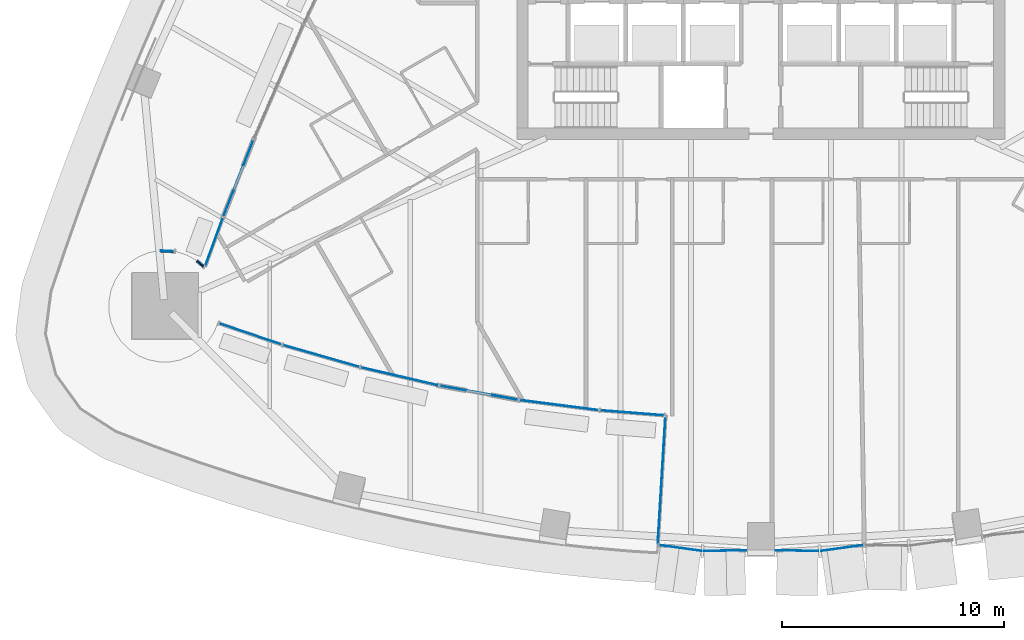
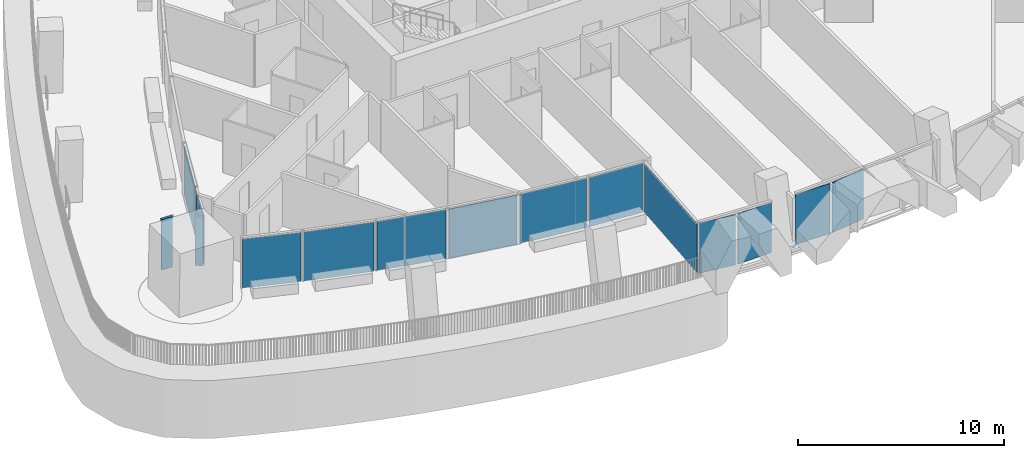
# One storey, part 9 of 24: 15 plates, 2 members, 13 elements without a shape of their own.
"""IFC4 building model written with IfcOpenShell, lengths in metres."""

from ifc_helpers import new_model, si_unit, direction, frame, origin, origin_2d, place, context, subcontext, project, spatial, polyline, rectangle, outline, extrude, material, layer, layer_set, material_profile, profile_set, type_object, element, aggregate, save


model = new_model("IFC4")

# Units and contexts
model_context = context("Model", 3, precision=1e-05, world=origin(), true_north=direction((0.0, 1.0)))
body_context = subcontext(model_context, "Body", "Model", "MODEL_VIEW")
ifc_project = project(units=[si_unit("LENGTHUNIT", "METRE"), si_unit("AREAUNIT", "SQUARE_METRE"), si_unit("VOLUMEUNIT", "CUBIC_METRE"), si_unit("PLANEANGLEUNIT", "RADIAN"), si_unit("MASSUNIT", "GRAM", prefix="KILO")], contexts=[model_context])

# Site, building, storey
site_placement = place(None, origin())
site = spatial("IfcSite", under=ifc_project, at=site_placement, CompositionType="ELEMENT")
building_placement = place(site_placement, origin())
building = spatial("IfcBuilding", under=site, at=building_placement, Name="Sierra Prisma Convention Tower", CompositionType="ELEMENT")
storey_placement = place(building_placement, frame((0.0, 0.0, 59.10009765625)))
storey = spatial("IfcBuildingStorey", under=building, at=storey_placement, Name="L10", CompositionType="ELEMENT", Elevation=59.10009765625)

# Curtain wall, member
ifc_material_1 = material(Name="Aluminium and glass curtain wall", Category="aluminium")
ifc_layer_1 = layer(ifc_material_1, 0.179931640625)
ifc_layer_set_1 = layer_set([ifc_layer_1], Name="CW-6 Terrace recess curtain wall")
curtain_wall_type_1 = type_object("IfcCurtainWallType", Name="CW-6 Terrace recess curtain wall", PredefinedType="NOTDEFINED", material=ifc_layer_set_1)
curtain_wall_1_placement = place(storey_placement, origin())
curtain_wall_1 = element("IfcCurtainWall", 1, at=curtain_wall_1_placement, inside=storey, type_object=curtain_wall_type_1, Name="CW-6 R8 L10", PredefinedType="NOTDEFINED")
ifc_material_2 = material(Name="Aluminium 6063-T6 bronze anodised", Category="aluminium")
ifc_material_profile = material_profile(ifc_material_2, rectangle(XDim=0.139892578125, YDim=0.1201171875, at=origin_2d()), Name="ALU TRANSOM 120x140")
ifc_profile_set = profile_set([ifc_material_profile], Name="Aluminium 6063-T6 bronze anodised")
member_type = type_object("IfcMemberType", Name="CW transom bronze", PredefinedType="USERDEFINED", material=ifc_profile_set)
member_1_placement = place(storey_placement, frame((-25.143310546875, -13.736572265625, 2.97998046875), z_axis=(-0.76554762068, 0.643379235343, 0.0), x_axis=(-0.643379235343, -0.76554762068, 0.0)))
member_1 = element("IfcMember", 2, at=member_1_placement, type_object=member_type, Name="CW-6 transom R8.1", ObjectType="TRANSOM", PredefinedType="USERDEFINED", context=body_context, shape_type="SweptSolid", body=[
    extrude(rectangle(XDim=0.139892578125, YDim=0.1201171875, at=origin_2d()), origin(), (0.0, 0.0, 1.0), 0.397705078125),
])

curtain_wall_2_placement = place(storey_placement, origin())
curtain_wall_2 = element("IfcCurtainWall", 3, at=curtain_wall_2_placement, inside=storey, type_object=curtain_wall_type_1, Name="CW-6 R11 L10", PredefinedType="NOTDEFINED")
member_2_placement = place(storey_placement, frame((-26.480224609375, -13.0556640625, 2.97998046875), z_axis=(-0.998786609431, 0.049247424507, 0.0), x_axis=(-0.049247424507, -0.998786609431, 0.0)))
member_2 = element("IfcMember", 4, at=member_2_placement, type_object=member_type, Name="CW-6 transom R11.1", ObjectType="TRANSOM", PredefinedType="USERDEFINED", context=body_context, shape_type="SweptSolid", body=[
    extrude(rectangle(XDim=0.139892578125, YDim=0.1201171875, at=origin_2d()), origin(), (0.0, 0.0, 1.0), 0.599853515625),
])

# Curtain wall, plates
ifc_material_3 = material(Name="Aluminium and glass curtain wall", Category="aluminium")
ifc_layer_2 = layer(ifc_material_3, 0.179931640625)
ifc_layer_set_2 = layer_set([ifc_layer_2], Name="CW-2 Faceted crystal curtain wall")
curtain_wall_type_2 = type_object("IfcCurtainWallType", Name="CW-2 Faceted crystal curtain wall", PredefinedType="NOTDEFINED", material=ifc_layer_set_2)
curtain_wall_3_placement = place(storey_placement, origin())
curtain_wall_3 = element("IfcCurtainWall", 5, at=curtain_wall_3_placement, inside=storey, type_object=curtain_wall_type_2, Name="CW-2 S3b L10", PredefinedType="NOTDEFINED")
ifc_material_4 = material(Name="Tinted glass bronze-grey IGU", Category="glass")
ifc_layer_3 = layer(ifc_material_4, 0.028076171875)
ifc_layer_set_3 = layer_set([ifc_layer_3], Name="CW-2 crystal pane")
plate_type_1 = type_object("IfcPlateType", Name="CW-2 crystal pane", PredefinedType="CURTAIN_PANEL", material=ifc_layer_set_3)
plate_1_placement = place(storey_placement, frame((-4.587158203125, -26.31982421875, 0.0), z_axis=(-0.13799124572, -0.9904334486, 0.0), x_axis=(0.9904334486, -0.13799124572, 0.0)))
plate_1 = element("IfcPlate", 6, at=plate_1_placement, type_object=plate_type_1, Name="CW-2 pane S3b.1.1", PredefinedType="CURTAIN_PANEL", context=body_context, shape_type="SweptSolid", body=[
    extrude(outline(polyline([(0.0, 0.0), (1.9037099863106544, 0.0), (1.9037099863106544, 2.97998046875), (0.0, 2.97998046875), (0.0, 0.0)])), origin(), (0.0, 0.0, -1.0), 0.028076171875),
])
plate_2_placement = place(storey_placement, frame((-0.668701171875, -26.554931640625, 0.0), z_axis=(0.018593681258, -0.999827122565, 0.0), x_axis=(-0.999827122565, -0.018593681258, 0.0)))
plate_2 = element("IfcPlate", 7, at=plate_2_placement, type_object=plate_type_1, Name="CW-2 pane S3b.1.2", PredefinedType="CURTAIN_PANEL", context=body_context, shape_type="SweptSolid", body=[
    extrude(outline(polyline([(0.0, 0.0), (1.903893593365313, 0.0), (1.903893593365313, -2.97998046875), (0.0, -2.97998046875), (0.0, 0.0)])), origin(), (0.0, 0.0, -1.0), 0.028076171875),
])
aggregate(curtain_wall_3, [plate_1, plate_2])

curtain_wall_4_placement = place(storey_placement, origin())
curtain_wall_4 = element("IfcCurtainWall", 8, at=curtain_wall_4_placement, inside=storey, type_object=curtain_wall_type_2, Name="CW-2 S4 L10", PredefinedType="NOTDEFINED")
plate_3_placement = place(storey_placement, frame((0.668701171875, -26.554931640625, 0.0), z_axis=(-0.018550626085, -0.999827922331, 0.0), x_axis=(0.999827922331, -0.018550626085, 0.0)))
plate_3 = element("IfcPlate", 9, at=plate_3_placement, type_object=plate_type_1, Name="CW-2 pane S4.1.1", PredefinedType="CURTAIN_PANEL", context=body_context, shape_type="SweptSolid", body=[
    extrude(outline(polyline([(0.0, 0.0), (1.921473220758698, 0.0), (1.921473220758698, 2.97998046875), (0.0, 2.97998046875), (0.0, 0.0)])), origin(), (0.0, 0.0, -1.0), 0.028076171875),
])
plate_4_placement = place(storey_placement, frame((4.6220703125, -26.317626953125, 0.0), z_axis=(0.138129359919, -0.990414196146, 0.0), x_axis=(-0.990414196146, -0.138129359919, 0.0)))
plate_4 = element("IfcPlate", 10, at=plate_4_placement, type_object=plate_type_1, Name="CW-2 pane S4.1.2", PredefinedType="CURTAIN_PANEL", context=body_context, shape_type="SweptSolid", body=[
    extrude(outline(polyline([(0.0, 0.0), (1.921248744872359, 0.0), (1.921248744872359, -2.97998046875), (0.0, -2.97998046875), (0.0, 0.0)])), origin(), (0.0, 0.0, -1.0), 0.028076171875),
])
aggregate(curtain_wall_4, [plate_3, plate_4])

# Curtain wall, plate
curtain_wall_5_placement = place(storey_placement, origin())
curtain_wall_5 = element("IfcCurtainWall", 11, at=curtain_wall_5_placement, inside=storey, type_object=curtain_wall_type_1, Name="CW-6 R6 L10", PredefinedType="NOTDEFINED")
ifc_material_5 = material(Name="Tinted glass bronze-grey IGU", Category="glass")
ifc_layer_4 = layer(ifc_material_5, 0.028076171875)
ifc_layer_set_4 = layer_set([ifc_layer_4], Name="CW-6 glass panel")
plate_type_2 = type_object("IfcPlateType", Name="CW-6 glass panel", PredefinedType="CURTAIN_PANEL", material=ifc_layer_set_4)
plate_5_placement = place(storey_placement, frame((-23.56396484375, -9.734619140625, 0.0), z_axis=(0.0, 0.0, 1.0), x_axis=(-0.365396358972, -0.930852029514, 0.0)))
plate_5 = element("IfcPlate", 12, at=plate_5_placement, type_object=plate_type_2, Name="CW-6 panel R6.1", PredefinedType="CURTAIN_PANEL", context=body_context, shape_type="SweptSolid", body=[
    extrude(rectangle(XDim=3.63134765625, YDim=0.028076171875, at=origin_2d()), origin(), (0.0, 0.0, 1.0), 2.919921875),
])
aggregate(curtain_wall_5, [plate_5])

curtain_wall_6_placement = place(storey_placement, origin())
curtain_wall_6 = element("IfcCurtainWall", 13, at=curtain_wall_6_placement, inside=storey, type_object=curtain_wall_type_1, Name="CW-6 R7 L10", PredefinedType="NOTDEFINED")
plate_6_placement = place(storey_placement, frame((-24.67138671875, -12.6357421875, 0.0), z_axis=(0.0, 0.0, 1.0), x_axis=(-0.342949484266, -0.939353847728, 0.0)))
plate_6 = element("IfcPlate", 14, at=plate_6_placement, type_object=plate_type_2, Name="CW-6 panel R7.1", PredefinedType="CURTAIN_PANEL", context=body_context, shape_type="SweptSolid", body=[
    extrude(rectangle(XDim=2.2998046875, YDim=0.028076171875, at=origin_2d()), origin(), (0.0, 0.0, 1.0), 2.919921875),
])
aggregate(curtain_wall_6, [plate_6])

# Plate
plate_7_placement = place(storey_placement, frame((-25.295654296875, -13.608642578125, 0.0), z_axis=(0.0, 0.0, 1.0), x_axis=(-0.76535333187, 0.643610345936, 0.0)))
plate_7 = element("IfcPlate", 15, at=plate_7_placement, type_object=plate_type_2, Name="CW-6 panel R8.1", PredefinedType="CURTAIN_PANEL", context=body_context, shape_type="SweptSolid", body=[
    extrude(rectangle(XDim=0.397705078125, YDim=0.028076171875, at=origin_2d()), origin(), (0.0, 0.0, 1.0), 2.919921875),
])

aggregate(curtain_wall_1, [member_1, plate_7])

plate_8_placement = place(storey_placement, frame((-26.77978515625, -13.041015625, 0.0), z_axis=(0.0, 0.0, 1.0), x_axis=(-0.998795456205, 0.049067674327, 0.0)))
plate_8 = element("IfcPlate", 16, at=plate_8_placement, type_object=plate_type_2, Name="CW-6 panel R11.1", PredefinedType="CURTAIN_PANEL", context=body_context, shape_type="SweptSolid", body=[
    extrude(rectangle(XDim=0.599853515625, YDim=0.028076171875, at=origin_2d()), origin(), (0.0, 0.0, 1.0), 2.919921875),
])

aggregate(curtain_wall_2, [member_2, plate_8])

# Curtain wall, plate
curtain_wall_7_placement = place(storey_placement, origin())
curtain_wall_7 = element("IfcCurtainWall", 17, at=curtain_wall_7_placement, inside=storey, type_object=curtain_wall_type_1, Name="CW-6 R34 L10", PredefinedType="NOTDEFINED")
plate_9_placement = place(storey_placement, frame((-23.059814453125, -16.77490234375, 0.0), z_axis=(0.0, 0.0, 1.0), x_axis=(0.946540024653, -0.322586394211, 0.0)))
plate_9 = element("IfcPlate", 18, at=plate_9_placement, type_object=plate_type_2, Name="CW-6 panel R34.1", PredefinedType="CURTAIN_PANEL", context=body_context, shape_type="SweptSolid", body=[
    extrude(rectangle(XDim=2.896484375, YDim=0.028076171875, at=origin_2d()), origin(), (0.0, 0.0, 1.0), 2.919921875),
])
aggregate(curtain_wall_7, [plate_9])

curtain_wall_8_placement = place(storey_placement, origin())
curtain_wall_8 = element("IfcCurtainWall", 19, at=curtain_wall_8_placement, inside=storey, type_object=curtain_wall_type_1, Name="CW-6 R35 L10", PredefinedType="NOTDEFINED")
plate_10_placement = place(storey_placement, frame((-19.8642578125, -17.7705078125, 0.0), z_axis=(0.0, 0.0, 1.0), x_axis=(0.961016258786, -0.276491863077, 0.0)))
plate_10 = element("IfcPlate", 20, at=plate_10_placement, type_object=plate_type_2, Name="CW-6 panel R35.1", PredefinedType="CURTAIN_PANEL", context=body_context, shape_type="SweptSolid", body=[
    extrude(rectangle(XDim=3.52001953125, YDim=0.028076171875, at=origin_2d()), origin(), (0.0, 0.0, 1.0), 2.919921875),
])
aggregate(curtain_wall_8, [plate_10])

curtain_wall_9_placement = place(storey_placement, origin())
curtain_wall_9 = element("IfcCurtainWall", 21, at=curtain_wall_9_placement, inside=storey, type_object=curtain_wall_type_1, Name="CW-6 R36 L10", PredefinedType="NOTDEFINED")
plate_11_placement = place(storey_placement, frame((-16.3232421875, -18.6923828125, 0.0), z_axis=(0.0, 0.0, 1.0), x_axis=(0.97384690322, -0.227205213604, 0.0)))
plate_11 = element("IfcPlate", 22, at=plate_11_placement, type_object=plate_type_2, Name="CW-6 panel R36.1", PredefinedType="CURTAIN_PANEL", context=body_context, shape_type="SweptSolid", body=[
    extrude(rectangle(XDim=3.52001953125, YDim=0.028076171875, at=origin_2d()), origin(), (0.0, 0.0, 1.0), 2.919921875),
])
aggregate(curtain_wall_9, [plate_11])

curtain_wall_10_placement = place(storey_placement, origin())
curtain_wall_10 = element("IfcCurtainWall", 23, at=curtain_wall_10_placement, inside=storey, type_object=curtain_wall_type_1, Name="CW-6 R37 L10", PredefinedType="NOTDEFINED")
plate_12_placement = place(storey_placement, frame((-12.739990234375, -19.4326171875, 0.0), z_axis=(0.0, 0.0, 1.0), x_axis=(0.984151584283, -0.177329239418, 0.0)))
plate_12 = element("IfcPlate", 24, at=plate_12_placement, type_object=plate_type_2, Name="CW-6 panel R37.1", PredefinedType="CURTAIN_PANEL", context=body_context, shape_type="SweptSolid", body=[
    extrude(rectangle(XDim=3.52001953125, YDim=0.028076171875, at=origin_2d()), origin(), (0.0, 0.0, 1.0), 2.919921875),
])
aggregate(curtain_wall_10, [plate_12])

curtain_wall_11_placement = place(storey_placement, origin())
curtain_wall_11 = element("IfcCurtainWall", 25, at=curtain_wall_11_placement, inside=storey, type_object=curtain_wall_type_1, Name="CW-6 R38 L10", PredefinedType="NOTDEFINED")
plate_13_placement = place(storey_placement, frame((-9.12353515625, -19.989501953125, 0.0), z_axis=(0.0, 0.0, 1.0), x_axis=(0.991903573703, -0.126993308782, 0.0)))
plate_13 = element("IfcPlate", 26, at=plate_13_placement, type_object=plate_type_2, Name="CW-6 panel R38.1", PredefinedType="CURTAIN_PANEL", context=body_context, shape_type="SweptSolid", body=[
    extrude(rectangle(XDim=3.52001953125, YDim=0.028076171875, at=origin_2d()), origin(), (0.0, 0.0, 1.0), 2.919921875),
])
aggregate(curtain_wall_11, [plate_13])

curtain_wall_12_placement = place(storey_placement, origin())
curtain_wall_12 = element("IfcCurtainWall", 27, at=curtain_wall_12_placement, inside=storey, type_object=curtain_wall_type_1, Name="CW-6 R39 L10", PredefinedType="NOTDEFINED")
plate_14_placement = place(storey_placement, frame((-5.806884765625, -20.341064453125, 0.0), z_axis=(0.0, 0.0, 1.0), x_axis=(0.996869994202, -0.079058299122, 0.0)))
plate_14 = element("IfcPlate", 28, at=plate_14_placement, type_object=plate_type_2, Name="CW-6 panel R39.1", PredefinedType="CURTAIN_PANEL", context=body_context, shape_type="SweptSolid", body=[
    extrude(rectangle(XDim=2.872314453125, YDim=0.028076171875, at=origin_2d()), origin(), (0.0, 0.0, 1.0), 2.919921875),
])
aggregate(curtain_wall_12, [plate_14])

curtain_wall_13_placement = place(storey_placement, origin())
curtain_wall_13 = element("IfcCurtainWall", 29, at=curtain_wall_13_placement, inside=storey, type_object=curtain_wall_type_1, Name="CW-6 RT2 L10", PredefinedType="NOTDEFINED")
plate_15_placement = place(storey_placement, frame((-4.481201171875, -23.387939453125, 0.0), z_axis=(0.0, 0.0, 1.0), x_axis=(-0.059913848972, -0.998203551738, 0.0)))
plate_15 = element("IfcPlate", 30, at=plate_15_placement, type_object=plate_type_2, Name="CW-6 panel RT2.1", PredefinedType="CURTAIN_PANEL", context=body_context, shape_type="SweptSolid", body=[
    extrude(rectangle(XDim=5.725830078125, YDim=0.028076171875, at=origin_2d()), origin(), (0.0, 0.0, 1.0), 2.919921875),
])
aggregate(curtain_wall_13, [plate_15])

save(model, "model.ifc")
